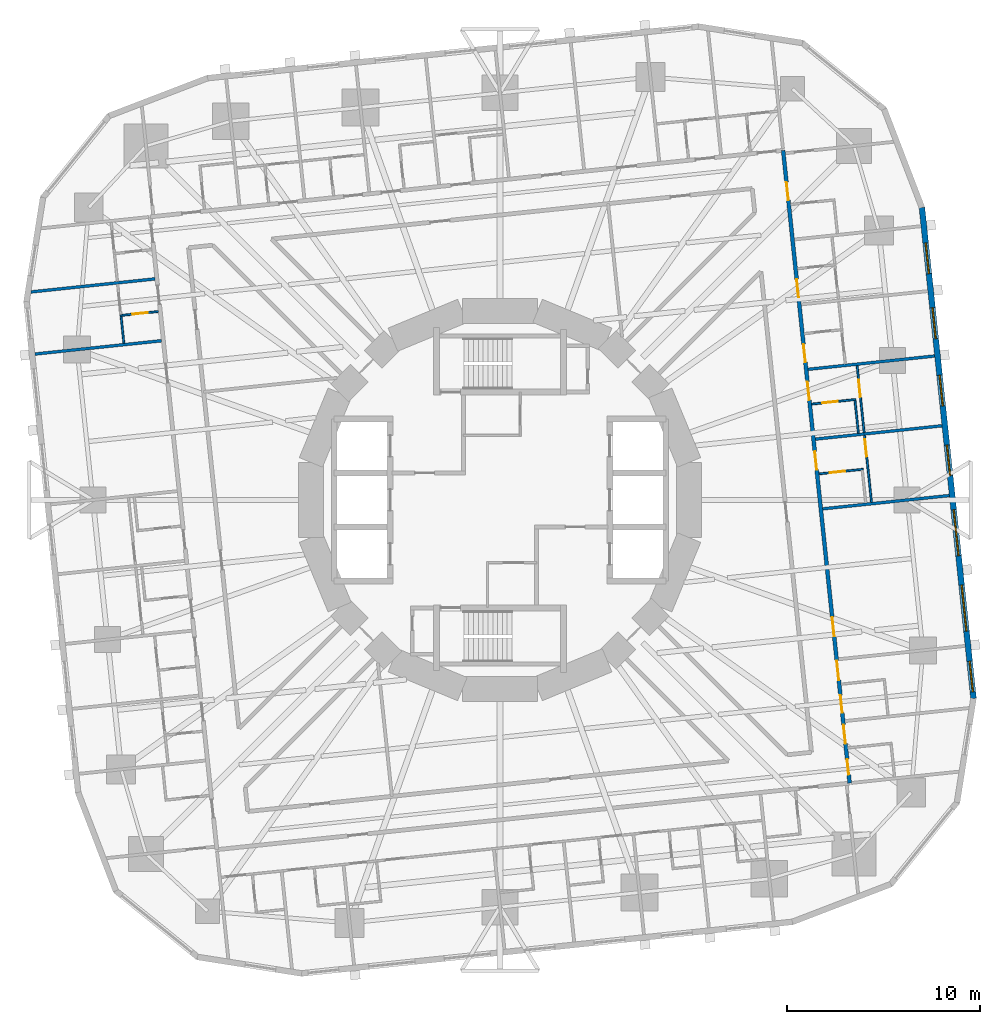
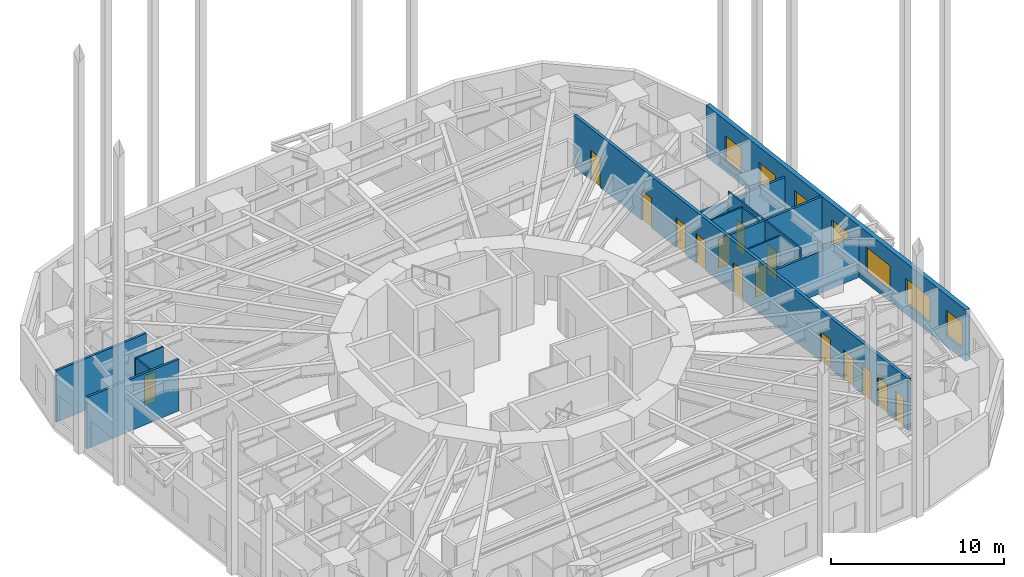
# One storey, part 9 of 13: 15 doors, 14 walls, 7 windows, 22 openings.
"""IFC4 building model written with IfcOpenShell, lengths in metres."""

from ifc_helpers import new_model, si_unit, direction, frame, frame_2d, origin, place, context, subcontext, project, spatial, rectangle, extrude, material, layer, layer_set, type_object, element, fill, save


model = new_model("IFC4")

# Units and contexts
model_context = context("Model", 3, precision=1e-05, world=origin(), true_north=direction((0.0, 1.0)))
body_context = subcontext(model_context, "Body", "Model", "MODEL_VIEW")
ifc_project = project(units=[si_unit("LENGTHUNIT", "METRE"), si_unit("AREAUNIT", "SQUARE_METRE"), si_unit("VOLUMEUNIT", "CUBIC_METRE"), si_unit("PLANEANGLEUNIT", "RADIAN"), si_unit("MASSUNIT", "GRAM", prefix="KILO")], contexts=[model_context])

# Site, building, storey
site_placement = place(None, origin())
site = spatial("IfcSite", under=ifc_project, at=site_placement, CompositionType="ELEMENT")
building_placement = place(site_placement, origin())
building = spatial("IfcBuilding", under=site, at=building_placement, Name="Nakasero Lantern House", CompositionType="ELEMENT")
storey_placement = place(building_placement, frame((0.0, 0.0, 60.5)))
storey = spatial("IfcBuildingStorey", under=building, at=storey_placement, Name="L14", CompositionType="ELEMENT", Elevation=60.5)

# Wall, openings, doors
ifc_material_1 = material(Name="Blockwork", Category="masonry")
ifc_layer_1 = layer(ifc_material_1, 0.199951171875)
ifc_layer_set_1 = layer_set([ifc_layer_1], Name="Corridor wall 200")
wall_type_1 = type_object("IfcWallType", Name="Corridor wall 200", PredefinedType="PARTITIONING", material=ifc_layer_set_1)
wall_1_placement = place(storey_placement, frame((18.13427734375, -14.684814453125, 0.0), z_axis=(0.0, 0.0, 1.0), x_axis=(-0.10452958258, 0.994521777723, 0.0)))
wall_1 = element("IfcWall", 1, at=wall_1_placement, inside=storey, type_object=wall_type_1, Name="Corridor wall L14 CW0", PredefinedType="PARTITIONING", context=body_context, shape_type="SweptSolid", body=[
    extrude(rectangle(XDim=32.999755859375, YDim=0.199951171875, at=frame_2d((16.5, 0.0))), origin(), (0.0, 0.0, 1.0), 3.64990234375),
])
opening_1_placement = place(wall_1_placement, frame((0.449951171875, 0.0, 0.0)))
opening_1 = element("IfcOpeningElement", 2, at=opening_1_placement, cuts=wall_1, Name="Opening D15", PredefinedType="OPENING", context=body_context, shape_type="SweptSolid", body=[
    extrude(rectangle(XDim=0.800048828125, YDim=2.10009765625, at=frame_2d((0.39990234375, 1.050048828125))), frame((0.0, 0.119873046875, 0.0), z_axis=(0.0, -1.0, 0.0), x_axis=(1.0, 0.0, 0.0)), (0.0, 0.0, 1.0), 0.239990234375),
])
opening_2_placement = place(wall_1_placement, frame((2.050048828125, 0.0, 0.0)))
opening_2 = element("IfcOpeningElement", 3, at=opening_2_placement, cuts=wall_1, Name="Opening D07", PredefinedType="OPENING", context=body_context, shape_type="SweptSolid", body=[
    extrude(rectangle(XDim=1.0, YDim=2.10009765625, at=frame_2d((0.5, 1.050048828125))), frame((0.0, 0.119873046875, 0.0), z_axis=(0.0, -1.0, 0.0), x_axis=(1.0, 0.0, 0.0)), (0.0, 0.0, 1.0), 0.239990234375),
])
opening_3_placement = place(wall_1_placement, frame((3.67529296875, 0.0, 0.0)))
opening_3 = element("IfcOpeningElement", 4, at=opening_3_placement, cuts=wall_1, Name="Opening D16", PredefinedType="OPENING", context=body_context, shape_type="SweptSolid", body=[
    extrude(rectangle(XDim=0.89990234375, YDim=2.10009765625, at=frame_2d((0.449951171875, 1.050048828125))), frame((0.0, 0.119873046875, 0.0), z_axis=(0.0, -1.0, 0.0), x_axis=(1.0, 0.0, 0.0)), (0.0, 0.0, 1.0), 0.239990234375),
])
opening_4_placement = place(wall_1_placement, frame((5.375244140625, 0.0, 0.0)))
opening_4 = element("IfcOpeningElement", 5, at=opening_4_placement, cuts=wall_1, Name="Opening D07", PredefinedType="OPENING", context=body_context, shape_type="SweptSolid", body=[
    extrude(rectangle(XDim=1.0, YDim=2.10009765625, at=frame_2d((0.5, 1.050048828125))), frame((0.0, 0.119873046875, 0.0), z_axis=(0.0, -1.0, 0.0), x_axis=(1.0, 0.0, 0.0)), (0.0, 0.0, 1.0), 0.239990234375),
])
opening_5_placement = place(wall_1_placement, frame((16.3427734375, 0.0, 0.0)))
opening_5 = element("IfcOpeningElement", 6, at=opening_5_placement, cuts=wall_1, Name="Opening D01", PredefinedType="OPENING", context=body_context, shape_type="SweptSolid", body=[
    extrude(rectangle(XDim=0.949951171875, YDim=2.10009765625, at=frame_2d((0.47509765625, 1.050048828125))), frame((0.0, 0.119873046875, 0.0), z_axis=(0.0, -1.0, 0.0), x_axis=(1.0, 0.0, 0.0)), (0.0, 0.0, 1.0), 0.239990234375),
])
opening_6_placement = place(wall_1_placement, frame((19.9814453125, 0.0, 0.0)))
opening_6 = element("IfcOpeningElement", 7, at=opening_6_placement, cuts=wall_1, Name="Opening D01", PredefinedType="OPENING", context=body_context, shape_type="SweptSolid", body=[
    extrude(rectangle(XDim=0.949951171875, YDim=2.10009765625, at=frame_2d((0.47509765625, 1.050048828125))), frame((0.0, 0.119873046875, 0.0), z_axis=(0.0, -1.0, 0.0), x_axis=(1.0, 0.0, 0.0)), (0.0, 0.0, 1.0), 0.239990234375),
])
opening_7_placement = place(wall_1_placement, frame((21.945068359375, 0.0, 0.0)))
opening_7 = element("IfcOpeningElement", 8, at=opening_7_placement, cuts=wall_1, Name="Opening D01", PredefinedType="OPENING", context=body_context, shape_type="SweptSolid", body=[
    extrude(rectangle(XDim=0.949951171875, YDim=2.10009765625, at=frame_2d((0.47509765625, 1.050048828125))), frame((0.0, 0.119873046875, 0.0), z_axis=(0.0, -1.0, 0.0), x_axis=(1.0, 0.0, 0.0)), (0.0, 0.0, 1.0), 0.239990234375),
])
opening_8_placement = place(wall_1_placement, frame((25.33056640625, 0.0, 0.0)))
opening_8 = element("IfcOpeningElement", 9, at=opening_8_placement, cuts=wall_1, Name="Opening D01", PredefinedType="OPENING", context=body_context, shape_type="SweptSolid", body=[
    extrude(rectangle(XDim=0.949951171875, YDim=2.10009765625, at=frame_2d((0.47509765625, 1.050048828125))), frame((0.0, 0.119873046875, 0.0), z_axis=(0.0, -1.0, 0.0), x_axis=(1.0, 0.0, 0.0)), (0.0, 0.0, 1.0), 0.239990234375),
])
opening_9_placement = place(wall_1_placement, frame((30.39111328125, 0.0, 0.0)))
opening_9 = element("IfcOpeningElement", 10, at=opening_9_placement, cuts=wall_1, Name="Opening D01", PredefinedType="OPENING", context=body_context, shape_type="SweptSolid", body=[
    extrude(rectangle(XDim=0.949951171875, YDim=2.10009765625, at=frame_2d((0.47509765625, 1.050048828125))), frame((0.0, 0.119873046875, 0.0), z_axis=(0.0, -1.0, 0.0), x_axis=(1.0, 0.0, 0.0)), (0.0, 0.0, 1.0), 0.239990234375),
])
opening_10_placement = place(wall_1_placement, frame((7.650634765625, 0.0, 0.0)))
opening_10 = element("IfcOpeningElement", 11, at=opening_10_placement, cuts=wall_1, Name="Opening D03", PredefinedType="OPENING", context=body_context, shape_type="SweptSolid", body=[
    extrude(rectangle(XDim=1.0, YDim=2.10009765625, at=frame_2d((0.5, 1.050048828125))), frame((0.0, 0.119873046875, 0.0), z_axis=(0.0, -1.0, 0.0), x_axis=(1.0, 0.0, 0.0)), (0.0, 0.0, 1.0), 0.239990234375),
])
ifc_material_2 = material(Name="Timber C24", Category="wood")
door_type_1 = type_object("IfcDoorType", Name="Accessible WC door 900", OperationType="SINGLE_SWING_RIGHT", PredefinedType="DOOR", material=ifc_material_2)
door_1_placement = place(opening_3_placement, origin())
door_1 = element("IfcDoor", 12, at=door_1_placement, inside=storey, type_object=door_type_1, Name="Door L14 DS0-01", OperationType="SINGLE_SWING_LEFT", OverallHeight=2.10009765625, OverallWidth=0.89990234375, PredefinedType="DOOR", context=body_context, shape_type="SweptSolid", body=[
    extrude(rectangle(XDim=0.89990234375, YDim=2.10009765625, at=frame_2d((0.449951171875, 1.050048828125))), frame((0.0, 0.02490234375, 0.0), z_axis=(0.0, -1.0, 0.0), x_axis=(1.0, 0.0, 0.0)), (0.0, 0.0, 1.0), 0.050048828125),
])
fill(opening_3, door_1)
ifc_material_3 = material(Name="Timber C24", Category="wood")
door_type_2 = type_object("IfcDoorType", Name="Bedroom door FD30S 950", OperationType="SINGLE_SWING_LEFT", PredefinedType="DOOR", material=ifc_material_3)
door_2_placement = place(opening_5_placement, origin())
door_2 = element("IfcDoor", 13, at=door_2_placement, inside=storey, type_object=door_type_2, Name="Door L14 D0-04", OperationType="SINGLE_SWING_RIGHT", OverallHeight=2.10009765625, OverallWidth=0.949951171875, PredefinedType="DOOR", context=body_context, shape_type="SweptSolid", body=[
    extrude(rectangle(XDim=0.949951171875, YDim=2.10009765625, at=frame_2d((0.47509765625, 1.050048828125))), frame((0.0, 0.02490234375, 0.0), z_axis=(0.0, -1.0, 0.0), x_axis=(1.0, 0.0, 0.0)), (0.0, 0.0, 1.0), 0.050048828125),
])
fill(opening_5, door_2)
door_3_placement = place(opening_6_placement, origin())
door_3 = element("IfcDoor", 14, at=door_3_placement, inside=storey, type_object=door_type_2, Name="Door L14 D0-05", OperationType="SINGLE_SWING_RIGHT", OverallHeight=2.10009765625, OverallWidth=0.949951171875, PredefinedType="DOOR", context=body_context, shape_type="SweptSolid", body=[
    extrude(rectangle(XDim=0.949951171875, YDim=2.10009765625, at=frame_2d((0.47509765625, 1.050048828125))), frame((0.0, 0.02490234375, 0.0), z_axis=(0.0, -1.0, 0.0), x_axis=(1.0, 0.0, 0.0)), (0.0, 0.0, 1.0), 0.050048828125),
])
fill(opening_6, door_3)
door_4_placement = place(opening_7_placement, origin())
door_4 = element("IfcDoor", 15, at=door_4_placement, inside=storey, type_object=door_type_2, Name="Door L14 D0-06", OperationType="SINGLE_SWING_RIGHT", OverallHeight=2.10009765625, OverallWidth=0.949951171875, PredefinedType="DOOR", context=body_context, shape_type="SweptSolid", body=[
    extrude(rectangle(XDim=0.949951171875, YDim=2.10009765625, at=frame_2d((0.47509765625, 1.050048828125))), frame((0.0, 0.02490234375, 0.0), z_axis=(0.0, -1.0, 0.0), x_axis=(1.0, 0.0, 0.0)), (0.0, 0.0, 1.0), 0.050048828125),
])
fill(opening_7, door_4)
door_5_placement = place(opening_8_placement, origin())
door_5 = element("IfcDoor", 16, at=door_5_placement, inside=storey, type_object=door_type_2, Name="Door L14 D0-07", OperationType="SINGLE_SWING_RIGHT", OverallHeight=2.10009765625, OverallWidth=0.949951171875, PredefinedType="DOOR", context=body_context, shape_type="SweptSolid", body=[
    extrude(rectangle(XDim=0.949951171875, YDim=2.10009765625, at=frame_2d((0.47509765625, 1.050048828125))), frame((0.0, 0.02490234375, 0.0), z_axis=(0.0, -1.0, 0.0), x_axis=(1.0, 0.0, 0.0)), (0.0, 0.0, 1.0), 0.050048828125),
])
fill(opening_8, door_5)
door_6_placement = place(opening_9_placement, origin())
door_6 = element("IfcDoor", 17, at=door_6_placement, inside=storey, type_object=door_type_2, Name="Door L14 D0-08", OperationType="SINGLE_SWING_RIGHT", OverallHeight=2.10009765625, OverallWidth=0.949951171875, PredefinedType="DOOR", context=body_context, shape_type="SweptSolid", body=[
    extrude(rectangle(XDim=0.949951171875, YDim=2.10009765625, at=frame_2d((0.47509765625, 1.050048828125))), frame((0.0, 0.02490234375, 0.0), z_axis=(0.0, -1.0, 0.0), x_axis=(1.0, 0.0, 0.0)), (0.0, 0.0, 1.0), 0.050048828125),
])
fill(opening_9, door_6)
ifc_material_4 = material(Name="Timber C24", Category="wood")
door_type_3 = type_object("IfcDoorType", Name="Cleaner's store door FD30S 800", OperationType="SINGLE_SWING_LEFT", PredefinedType="DOOR", material=ifc_material_4)
door_7_placement = place(opening_1_placement, origin())
door_7 = element("IfcDoor", 18, at=door_7_placement, inside=storey, type_object=door_type_3, Name="Door L14 DS0-00", OperationType="SINGLE_SWING_LEFT", OverallHeight=2.10009765625, OverallWidth=0.800048828125, PredefinedType="DOOR", context=body_context, shape_type="SweptSolid", body=[
    extrude(rectangle(XDim=0.800048828125, YDim=2.10009765625, at=frame_2d((0.39990234375, 1.050048828125))), frame((0.0, 0.02490234375, 0.0), z_axis=(0.0, -1.0, 0.0), x_axis=(1.0, 0.0, 0.0)), (0.0, 0.0, 1.0), 0.050048828125),
])
fill(opening_1, door_7)
ifc_material_5 = material(Name="Timber C24", Category="wood")
door_type_4 = type_object("IfcDoorType", Name="Lounge door FD30S 1000", OperationType="SINGLE_SWING_LEFT", PredefinedType="DOOR", material=ifc_material_5)
door_8_placement = place(opening_10_placement, origin())
door_8 = element("IfcDoor", 19, at=door_8_placement, inside=storey, type_object=door_type_4, Name="Door L14 DK0", OperationType="SINGLE_SWING_LEFT", OverallHeight=2.10009765625, OverallWidth=1.0, PredefinedType="DOOR", context=body_context, shape_type="SweptSolid", body=[
    extrude(rectangle(XDim=1.0, YDim=2.10009765625, at=frame_2d((0.5, 1.050048828125))), frame((0.0, 0.02490234375, 0.0), z_axis=(0.0, -1.0, 0.0), x_axis=(1.0, 0.0, 0.0)), (0.0, 0.0, 1.0), 0.050048828125),
])
fill(opening_10, door_8)
ifc_material_6 = material(Name="Timber C24", Category="wood")
door_type_5 = type_object("IfcDoorType", Name="Room door FD30S 1000", OperationType="SINGLE_SWING_LEFT", PredefinedType="DOOR", material=ifc_material_6)
door_9_placement = place(opening_2_placement, origin())
door_9 = element("IfcDoor", 20, at=door_9_placement, inside=storey, type_object=door_type_5, Name="Door L14 D0-00", OperationType="SINGLE_SWING_LEFT", OverallHeight=2.10009765625, OverallWidth=1.0, PredefinedType="DOOR", context=body_context, shape_type="SweptSolid", body=[
    extrude(rectangle(XDim=1.0, YDim=2.10009765625, at=frame_2d((0.5, 1.050048828125))), frame((0.0, 0.02490234375, 0.0), z_axis=(0.0, -1.0, 0.0), x_axis=(1.0, 0.0, 0.0)), (0.0, 0.0, 1.0), 0.050048828125),
])
fill(opening_2, door_9)
door_10_placement = place(opening_4_placement, origin())
door_10 = element("IfcDoor", 21, at=door_10_placement, inside=storey, type_object=door_type_5, Name="Door L14 D0-01", OperationType="SINGLE_SWING_LEFT", OverallHeight=2.10009765625, OverallWidth=1.0, PredefinedType="DOOR", context=body_context, shape_type="SweptSolid", body=[
    extrude(rectangle(XDim=1.0, YDim=2.10009765625, at=frame_2d((0.5, 1.050048828125))), frame((0.0, 0.02490234375, 0.0), z_axis=(0.0, -1.0, 0.0), x_axis=(1.0, 0.0, 0.0)), (0.0, 0.0, 1.0), 0.050048828125),
])
fill(opening_4, door_10)

# Wall, opening, door
ifc_material_7 = material(Name="Blockwork", Category="masonry")
ifc_layer_2 = layer(ifc_material_7, 0.10009765625)
ifc_layer_set_2 = layer_set([ifc_layer_2], Name="En-suite wall 100")
wall_type_2 = type_object("IfcWallType", Name="En-suite wall 100", PredefinedType="PARTITIONING", material=ifc_layer_set_2)
wall_2_placement = place(storey_placement, frame((16.549072265625, 1.35498046875, 0.0), z_axis=(0.0, 0.0, 1.0), x_axis=(0.994518822602, 0.104557694553, 0.0)))
wall_2 = element("IfcWall", 22, at=wall_2_placement, inside=storey, type_object=wall_type_2, Name="En-suite wall L14 ES0-04", PredefinedType="PARTITIONING", context=body_context, shape_type="SweptSolid", body=[
    extrude(rectangle(XDim=2.300048828125, YDim=0.10009765625, at=frame_2d((1.14990234375, 0.0))), origin(), (0.0, 0.0, 1.0), 3.64990234375),
])
opening_11_placement = place(wall_2_placement, frame((0.550048828125, 0.0, 0.0)))
opening_11 = element("IfcOpeningElement", 23, at=opening_11_placement, cuts=wall_2, Name="Opening D02", PredefinedType="OPENING", context=body_context, shape_type="SweptSolid", body=[
    extrude(rectangle(XDim=0.800048828125, YDim=2.10009765625, at=frame_2d((0.39990234375, 1.050048828125))), frame((0.0, 0.070068359375, 0.0), z_axis=(0.0, -1.0, 0.0), x_axis=(1.0, 0.0, 0.0)), (0.0, 0.0, 1.0), 0.14013671875),
])
ifc_material_8 = material(Name="Timber C24", Category="wood")
door_type_6 = type_object("IfcDoorType", Name="En-suite door 800", OperationType="SINGLE_SWING_RIGHT", PredefinedType="DOOR", material=ifc_material_8)
door_11_placement = place(opening_11_placement, origin())
door_11 = element("IfcDoor", 24, at=door_11_placement, inside=storey, type_object=door_type_6, Name="Door L14 DE0-04", OperationType="SINGLE_SWING_LEFT", OverallHeight=2.10009765625, OverallWidth=0.800048828125, PredefinedType="DOOR", context=body_context, shape_type="SweptSolid", body=[
    extrude(rectangle(XDim=0.800048828125, YDim=2.10009765625, at=frame_2d((0.39990234375, 1.050048828125))), frame((0.0, 0.02490234375, 0.0), z_axis=(0.0, -1.0, 0.0), x_axis=(1.0, 0.0, 0.0)), (0.0, 0.0, 1.0), 0.050048828125),
])
fill(opening_11, door_11)

wall_3_placement = place(storey_placement, frame((16.168701171875, 4.9736328125, 0.0), z_axis=(0.0, 0.0, 1.0), x_axis=(0.994518822602, 0.104557694553, 0.0)))
wall_3 = element("IfcWall", 25, at=wall_3_placement, inside=storey, type_object=wall_type_2, Name="En-suite wall L14 ES0-05", PredefinedType="PARTITIONING", context=body_context, shape_type="SweptSolid", body=[
    extrude(rectangle(XDim=2.300048828125, YDim=0.10009765625, at=frame_2d((1.14990234375, 0.0))), origin(), (0.0, 0.0, 1.0), 3.64990234375),
])
opening_12_placement = place(wall_3_placement, frame((0.550048828125, 0.0, 0.0)))
opening_12 = element("IfcOpeningElement", 26, at=opening_12_placement, cuts=wall_3, Name="Opening D02", PredefinedType="OPENING", context=body_context, shape_type="SweptSolid", body=[
    extrude(rectangle(XDim=0.800048828125, YDim=2.10009765625, at=frame_2d((0.39990234375, 1.050048828125))), frame((0.0, 0.070068359375, 0.0), z_axis=(0.0, -1.0, 0.0), x_axis=(1.0, 0.0, 0.0)), (0.0, 0.0, 1.0), 0.14013671875),
])
door_12_placement = place(opening_12_placement, origin())
door_12 = element("IfcDoor", 27, at=door_12_placement, inside=storey, type_object=door_type_6, Name="Door L14 DE0-05", OperationType="SINGLE_SWING_LEFT", OverallHeight=2.10009765625, OverallWidth=0.800048828125, PredefinedType="DOOR", context=body_context, shape_type="SweptSolid", body=[
    extrude(rectangle(XDim=0.800048828125, YDim=2.10009765625, at=frame_2d((0.39990234375, 1.050048828125))), frame((0.0, 0.02490234375, 0.0), z_axis=(0.0, -1.0, 0.0), x_axis=(1.0, 0.0, 0.0)), (0.0, 0.0, 1.0), 0.050048828125),
])
fill(opening_12, door_12)

# Wall
wall_4_placement = place(storey_placement, frame((18.58935546875, 3.468505859375, 0.0), z_axis=(0.0, 0.0, 1.0), x_axis=(-0.104550220202, 0.994519608382, 0.0)))
element("IfcWall", 28, at=wall_4_placement, inside=storey, type_object=wall_type_2, Name="En-suite wall L14 EE0-05", PredefinedType="PARTITIONING", context=body_context, shape_type="SweptSolid", body=[
    extrude(rectangle(XDim=1.699951171875, YDim=0.10009765625, at=frame_2d((0.85009765625, 0.0))), origin(), (0.0, 0.0, 1.0), 3.64990234375),
])

# Wall, opening, door
wall_5_placement = place(storey_placement, frame((-17.718994140625, 9.77587890625, 0.0), z_axis=(0.0, 0.0, 1.0), x_axis=(-0.994512808172, -0.104614886044, 0.0)))
wall_5 = element("IfcWall", 29, at=wall_5_placement, inside=storey, type_object=wall_type_2, Name="En-suite wall L14 ES2-01", PredefinedType="PARTITIONING", context=body_context, shape_type="SweptSolid", body=[
    extrude(rectangle(XDim=2.0, YDim=0.10009765625, at=frame_2d((1.0, 0.0))), origin(), (0.0, 0.0, 1.0), 3.64990234375),
])
opening_13_placement = place(wall_5_placement, frame((0.550048828125, 0.0, 0.0)))
opening_13 = element("IfcOpeningElement", 30, at=opening_13_placement, cuts=wall_5, Name="Opening D02", PredefinedType="OPENING", context=body_context, shape_type="SweptSolid", body=[
    extrude(rectangle(XDim=0.800048828125, YDim=2.10009765625, at=frame_2d((0.39990234375, 1.050048828125))), frame((0.0, 0.070068359375, 0.0), z_axis=(0.0, -1.0, 0.0), x_axis=(1.0, 0.0, 0.0)), (0.0, 0.0, 1.0), 0.14013671875),
])
door_13_placement = place(opening_13_placement, origin())
door_13 = element("IfcDoor", 31, at=door_13_placement, inside=storey, type_object=door_type_6, Name="Door L14 DE2-01", OperationType="SINGLE_SWING_LEFT", OverallHeight=2.10009765625, OverallWidth=0.800048828125, PredefinedType="DOOR", context=body_context, shape_type="SweptSolid", body=[
    extrude(rectangle(XDim=0.800048828125, YDim=2.10009765625, at=frame_2d((0.39990234375, 1.050048828125))), frame((0.0, 0.02490234375, 0.0), z_axis=(0.0, -1.0, 0.0), x_axis=(1.0, 0.0, 0.0)), (0.0, 0.0, 1.0), 0.050048828125),
])
fill(opening_13, door_13)

# Wall
wall_6_placement = place(storey_placement, frame((-19.653076171875, 9.522216796875, 0.0), z_axis=(0.0, 0.0, 1.0), x_axis=(0.104630319263, -0.994511184598, 0.0)))
element("IfcWall", 32, at=wall_6_placement, inside=storey, type_object=wall_type_2, Name="En-suite wall L14 EE2-01", PredefinedType="PARTITIONING", context=body_context, shape_type="SweptSolid", body=[
    extrude(rectangle(XDim=1.39990234375, YDim=0.10009765625, at=frame_2d((0.699951171875, 0.0))), origin(), (0.0, 0.0, 1.0), 3.64990234375),
])

# Wall, opening, door
wall_7_placement = place(storey_placement, frame((19.26806640625, -0.118896484375, 0.0), z_axis=(0.0, 0.0, 1.0), x_axis=(-0.104553638592, 0.994519249013, 0.0)))
wall_7 = element("IfcWall", 33, at=wall_7_placement, inside=storey, type_object=wall_type_2, Name="En-suite wall L14 EL0-04", PredefinedType="PARTITIONING", context=body_context, shape_type="SweptSolid", body=[
    extrude(rectangle(XDim=3.488525390625, YDim=0.10009765625, at=frame_2d((1.744140625, 0.0))), origin(), (0.0, 0.0, 1.0), 3.64990234375),
])
opening_14_placement = place(wall_7_placement, frame((2.388671875, 0.0, 0.0)))
opening_14 = element("IfcOpeningElement", 34, at=opening_14_placement, cuts=wall_7, Name="Opening D17", PredefinedType="OPENING", context=body_context, shape_type="SweptSolid", body=[
    extrude(rectangle(XDim=0.89990234375, YDim=2.10009765625, at=frame_2d((0.449951171875, 1.050048828125))), frame((0.0, 0.070068359375, 0.0), z_axis=(0.0, -1.0, 0.0), x_axis=(1.0, 0.0, 0.0)), (0.0, 0.0, 1.0), 0.14013671875),
])
ifc_material_9 = material(Name="Timber C24", Category="wood")
door_type_7 = type_object("IfcDoorType", Name="Bedroom door FD30S 900", OperationType="SINGLE_SWING_LEFT", PredefinedType="DOOR", material=ifc_material_9)
door_14_placement = place(opening_14_placement, origin())
door_14 = element("IfcDoor", 35, at=door_14_placement, inside=storey, type_object=door_type_7, Name="Door L14 DL0-04", OperationType="SINGLE_SWING_RIGHT", OverallHeight=2.10009765625, OverallWidth=0.89990234375, PredefinedType="DOOR", context=body_context, shape_type="SweptSolid", body=[
    extrude(rectangle(XDim=0.89990234375, YDim=2.10009765625, at=frame_2d((0.449951171875, 1.050048828125))), frame((0.0, 0.02490234375, 0.0), z_axis=(0.0, -1.0, 0.0), x_axis=(1.0, 0.0, 0.0)), (0.0, 0.0, 1.0), 0.050048828125),
])
fill(opening_14, door_14)

wall_8_placement = place(storey_placement, frame((18.8876953125, 3.5, 0.0), z_axis=(0.0, 0.0, 1.0), x_axis=(-0.104553638592, 0.994519249013, 0.0)))
wall_8 = element("IfcWall", 36, at=wall_8_placement, inside=storey, type_object=wall_type_2, Name="En-suite wall L14 EL0-05", PredefinedType="PARTITIONING", context=body_context, shape_type="SweptSolid", body=[
    extrude(rectangle(XDim=3.488525390625, YDim=0.10009765625, at=frame_2d((1.744140625, 0.0))), origin(), (0.0, 0.0, 1.0), 3.64990234375),
])
opening_15_placement = place(wall_8_placement, frame((1.85009765625, 0.0, 0.0)))
opening_15 = element("IfcOpeningElement", 37, at=opening_15_placement, cuts=wall_8, Name="Opening D17", PredefinedType="OPENING", context=body_context, shape_type="SweptSolid", body=[
    extrude(rectangle(XDim=0.89990234375, YDim=2.10009765625, at=frame_2d((0.449951171875, 1.050048828125))), frame((0.0, 0.070068359375, 0.0), z_axis=(0.0, -1.0, 0.0), x_axis=(1.0, 0.0, 0.0)), (0.0, 0.0, 1.0), 0.14013671875),
])
door_15_placement = place(opening_15_placement, origin())
door_15 = element("IfcDoor", 38, at=door_15_placement, inside=storey, type_object=door_type_7, Name="Door L14 DL0-05", OperationType="SINGLE_SWING_RIGHT", OverallHeight=2.10009765625, OverallWidth=0.89990234375, PredefinedType="DOOR", context=body_context, shape_type="SweptSolid", body=[
    extrude(rectangle(XDim=0.89990234375, YDim=2.10009765625, at=frame_2d((0.449951171875, 1.050048828125))), frame((0.0, 0.02490234375, 0.0), z_axis=(0.0, -1.0, 0.0), x_axis=(1.0, 0.0, 0.0)), (0.0, 0.0, 1.0), 0.050048828125),
])
fill(opening_15, door_15)

# Wall, openings, windows
ifc_material_10 = material(Name="Aluminium rainscreen on blockwork", Category="masonry")
ifc_layer_3 = layer(ifc_material_10, 0.300048828125)
ifc_layer_set_3 = layer_set([ifc_layer_3], Name="Facade wall 300")
wall_type_3 = type_object("IfcWallType", Name="Facade wall 300", PredefinedType="SOLIDWALL", material=ifc_layer_set_3)
wall_9_placement = place(storey_placement, frame((24.56005859375, -10.2890625, 0.0), z_axis=(0.0, 0.0, 1.0), x_axis=(-0.104532378096, 0.994521483895, 0.0)))
wall_9 = element("IfcWall", 39, at=wall_9_placement, inside=storey, type_object=wall_type_3, Name="Facade wall L14 FW0S", PredefinedType="SOLIDWALL", context=body_context, shape_type="SweptSolid", body=[
    extrude(rectangle(XDim=25.599853515625, YDim=0.300048828125, at=frame_2d((12.7998046875, 0.0))), origin(), (0.0, 0.0, 1.0), 3.64990234375),
])
opening_16_placement = place(wall_9_placement, frame((0.337890625, 0.0, 0.75)))
opening_16 = element("IfcOpeningElement", 40, at=opening_16_placement, cuts=wall_9, Name="Opening W01", PredefinedType="OPENING", context=body_context, shape_type="SweptSolid", body=[
    extrude(rectangle(XDim=1.60009765625, YDim=1.800048828125, at=frame_2d((0.800048828125, 0.89990234375))), frame((0.0, 0.169921875, 0.0), z_axis=(0.0, -1.0, 0.0), x_axis=(1.0, 0.0, 0.0)), (0.0, 0.0, 1.0), 0.340087890625),
])
opening_17_placement = place(wall_9_placement, frame((11.612060546875, 0.0, 0.75)))
opening_17 = element("IfcOpeningElement", 41, at=opening_17_placement, cuts=wall_9, Name="Opening W01", PredefinedType="OPENING", context=body_context, shape_type="SweptSolid", body=[
    extrude(rectangle(XDim=1.60009765625, YDim=1.800048828125, at=frame_2d((0.800048828125, 0.89990234375))), frame((0.0, 0.169921875, 0.0), z_axis=(0.0, -1.0, 0.0), x_axis=(1.0, 0.0, 0.0)), (0.0, 0.0, 1.0), 0.340087890625),
])
opening_18_placement = place(wall_9_placement, frame((15.250732421875, 0.0, 0.75)))
opening_18 = element("IfcOpeningElement", 42, at=opening_18_placement, cuts=wall_9, Name="Opening W01", PredefinedType="OPENING", context=body_context, shape_type="SweptSolid", body=[
    extrude(rectangle(XDim=1.60009765625, YDim=1.800048828125, at=frame_2d((0.800048828125, 0.89990234375))), frame((0.0, 0.169921875, 0.0), z_axis=(0.0, -1.0, 0.0), x_axis=(1.0, 0.0, 0.0)), (0.0, 0.0, 1.0), 0.340087890625),
])
opening_19_placement = place(wall_9_placement, frame((18.7626953125, 0.0, 0.75)))
opening_19 = element("IfcOpeningElement", 43, at=opening_19_placement, cuts=wall_9, Name="Opening W01", PredefinedType="OPENING", context=body_context, shape_type="SweptSolid", body=[
    extrude(rectangle(XDim=1.60009765625, YDim=1.800048828125, at=frame_2d((0.800048828125, 0.89990234375))), frame((0.0, 0.169921875, 0.0), z_axis=(0.0, -1.0, 0.0), x_axis=(1.0, 0.0, 0.0)), (0.0, 0.0, 1.0), 0.340087890625),
])
opening_20_placement = place(wall_9_placement, frame((22.1484375, 0.0, 0.75)))
opening_20 = element("IfcOpeningElement", 44, at=opening_20_placement, cuts=wall_9, Name="Opening W01", PredefinedType="OPENING", context=body_context, shape_type="SweptSolid", body=[
    extrude(rectangle(XDim=1.60009765625, YDim=1.800048828125, at=frame_2d((0.800048828125, 0.89990234375))), frame((0.0, 0.169921875, 0.0), z_axis=(0.0, -1.0, 0.0), x_axis=(1.0, 0.0, 0.0)), (0.0, 0.0, 1.0), 0.340087890625),
])
opening_21_placement = place(wall_9_placement, frame((3.51123046875, 0.0, 0.75)))
opening_21 = element("IfcOpeningElement", 45, at=opening_21_placement, cuts=wall_9, Name="Opening W03", PredefinedType="OPENING", context=body_context, shape_type="SweptSolid", body=[
    extrude(rectangle(XDim=2.39990234375, YDim=1.800048828125, at=frame_2d((1.199951171875, 0.89990234375))), frame((0.0, 0.169921875, 0.0), z_axis=(0.0, -1.0, 0.0), x_axis=(1.0, 0.0, 0.0)), (0.0, 0.0, 1.0), 0.340087890625),
])
opening_22_placement = place(wall_9_placement, frame((7.432373046875, 0.0, 0.75)))
opening_22 = element("IfcOpeningElement", 46, at=opening_22_placement, cuts=wall_9, Name="Opening W03", PredefinedType="OPENING", context=body_context, shape_type="SweptSolid", body=[
    extrude(rectangle(XDim=2.39990234375, YDim=1.800048828125, at=frame_2d((1.199951171875, 0.89990234375))), frame((0.0, 0.169921875, 0.0), z_axis=(0.0, -1.0, 0.0), x_axis=(1.0, 0.0, 0.0)), (0.0, 0.0, 1.0), 0.340087890625),
])
ifc_material_11 = material(Name="Aluminium 6063-T6 and glass", Category="aluminium")
window_type_1 = type_object("IfcWindowType", Name="Bedroom window 1600x1800", PartitioningType="SINGLE_PANEL", PredefinedType="WINDOW", material=ifc_material_11)
window_1_placement = place(opening_16_placement, origin())
window_1 = element("IfcWindow", 47, at=window_1_placement, inside=storey, type_object=window_type_1, Name="Window L14 WN0-01", OverallHeight=1.800048828125, OverallWidth=1.60009765625, PartitioningType="SINGLE_PANEL", PredefinedType="WINDOW", context=body_context, shape_type="SweptSolid", body=[
    extrude(rectangle(XDim=1.60009765625, YDim=1.800048828125, at=frame_2d((0.800048828125, 0.89990234375))), frame((0.0, 0.030029296875, 0.0), z_axis=(0.0, -1.0, 0.0), x_axis=(1.0, 0.0, 0.0)), (0.0, 0.0, 1.0), 0.06005859375),
])
fill(opening_16, window_1)
window_2_placement = place(opening_17_placement, origin())
window_2 = element("IfcWindow", 48, at=window_2_placement, inside=storey, type_object=window_type_1, Name="Window L14 WN0-04", OverallHeight=1.800048828125, OverallWidth=1.60009765625, PartitioningType="SINGLE_PANEL", PredefinedType="WINDOW", context=body_context, shape_type="SweptSolid", body=[
    extrude(rectangle(XDim=1.60009765625, YDim=1.800048828125, at=frame_2d((0.800048828125, 0.89990234375))), frame((0.0, 0.030029296875, 0.0), z_axis=(0.0, -1.0, 0.0), x_axis=(1.0, 0.0, 0.0)), (0.0, 0.0, 1.0), 0.06005859375),
])
fill(opening_17, window_2)
window_3_placement = place(opening_18_placement, origin())
window_3 = element("IfcWindow", 49, at=window_3_placement, inside=storey, type_object=window_type_1, Name="Window L14 WN0-05", OverallHeight=1.800048828125, OverallWidth=1.60009765625, PartitioningType="SINGLE_PANEL", PredefinedType="WINDOW", context=body_context, shape_type="SweptSolid", body=[
    extrude(rectangle(XDim=1.60009765625, YDim=1.800048828125, at=frame_2d((0.800048828125, 0.89990234375))), frame((0.0, 0.030029296875, 0.0), z_axis=(0.0, -1.0, 0.0), x_axis=(1.0, 0.0, 0.0)), (0.0, 0.0, 1.0), 0.06005859375),
])
fill(opening_18, window_3)
window_4_placement = place(opening_19_placement, origin())
window_4 = element("IfcWindow", 50, at=window_4_placement, inside=storey, type_object=window_type_1, Name="Window L14 WN0-06", OverallHeight=1.800048828125, OverallWidth=1.60009765625, PartitioningType="SINGLE_PANEL", PredefinedType="WINDOW", context=body_context, shape_type="SweptSolid", body=[
    extrude(rectangle(XDim=1.60009765625, YDim=1.800048828125, at=frame_2d((0.800048828125, 0.89990234375))), frame((0.0, 0.030029296875, 0.0), z_axis=(0.0, -1.0, 0.0), x_axis=(1.0, 0.0, 0.0)), (0.0, 0.0, 1.0), 0.06005859375),
])
fill(opening_19, window_4)
window_5_placement = place(opening_20_placement, origin())
window_5 = element("IfcWindow", 51, at=window_5_placement, inside=storey, type_object=window_type_1, Name="Window L14 WN0-07", OverallHeight=1.800048828125, OverallWidth=1.60009765625, PartitioningType="SINGLE_PANEL", PredefinedType="WINDOW", context=body_context, shape_type="SweptSolid", body=[
    extrude(rectangle(XDim=1.60009765625, YDim=1.800048828125, at=frame_2d((0.800048828125, 0.89990234375))), frame((0.0, 0.030029296875, 0.0), z_axis=(0.0, -1.0, 0.0), x_axis=(1.0, 0.0, 0.0)), (0.0, 0.0, 1.0), 0.06005859375),
])
fill(opening_20, window_5)
ifc_material_12 = material(Name="Aluminium 6063-T6 and glass", Category="aluminium")
window_type_2 = type_object("IfcWindowType", Name="Lounge window 2400x1800", PartitioningType="SINGLE_PANEL", PredefinedType="WINDOW", material=ifc_material_12)
window_6_placement = place(opening_21_placement, origin())
window_6 = element("IfcWindow", 52, at=window_6_placement, inside=storey, type_object=window_type_2, Name="Window L14 WK0", OverallHeight=1.800048828125, OverallWidth=2.39990234375, PartitioningType="SINGLE_PANEL", PredefinedType="WINDOW", context=body_context, shape_type="SweptSolid", body=[
    extrude(rectangle(XDim=2.39990234375, YDim=1.800048828125, at=frame_2d((1.199951171875, 0.89990234375))), frame((0.0, 0.030029296875, 0.0), z_axis=(0.0, -1.0, 0.0), x_axis=(1.0, 0.0, 0.0)), (0.0, 0.0, 1.0), 0.06005859375),
])
fill(opening_21, window_6)
window_7_placement = place(opening_22_placement, origin())
window_7 = element("IfcWindow", 53, at=window_7_placement, inside=storey, type_object=window_type_2, Name="Window L14 WL0", OverallHeight=1.800048828125, OverallWidth=2.39990234375, PartitioningType="SINGLE_PANEL", PredefinedType="WINDOW", context=body_context, shape_type="SweptSolid", body=[
    extrude(rectangle(XDim=2.39990234375, YDim=1.800048828125, at=frame_2d((1.199951171875, 0.89990234375))), frame((0.0, 0.030029296875, 0.0), z_axis=(0.0, -1.0, 0.0), x_axis=(1.0, 0.0, 0.0)), (0.0, 0.0, 1.0), 0.06005859375),
])
fill(opening_22, window_7)

# Walls
ifc_material_13 = material(Name="Blockwork", Category="masonry")
ifc_layer_4 = layer(ifc_material_13, 0.14990234375)
ifc_layer_set_4 = layer_set([ifc_layer_4], Name="Party wall 150")
wall_type_4 = type_object("IfcWallType", Name="Party wall 150", PredefinedType="PARTITIONING", material=ifc_layer_set_4)
wall_10_placement = place(storey_placement, frame((16.73974609375, -0.4599609375, 0.0), z_axis=(0.0, 0.0, 1.0), x_axis=(0.994521251134, 0.104534592565, 0.0)))
element("IfcWall", 54, at=wall_10_placement, inside=storey, type_object=wall_type_4, Name="Party wall L14 PW0-04", PredefinedType="PARTITIONING", context=body_context, shape_type="SweptSolid", body=[
    extrude(rectangle(XDim=6.60009765625, YDim=0.14990234375, at=frame_2d((3.300048828125, 0.0))), origin(), (0.0, 0.0, 1.0), 2.966552734375),
])
wall_11_placement = place(storey_placement, frame((16.359375, 3.15869140625, 0.0), z_axis=(0.0, 0.0, 1.0), x_axis=(0.994521251134, 0.104534592565, 0.0)))
element("IfcWall", 55, at=wall_11_placement, inside=storey, type_object=wall_type_4, Name="Party wall L14 PW0-05", PredefinedType="PARTITIONING", context=body_context, shape_type="SweptSolid", body=[
    extrude(rectangle(XDim=6.60009765625, YDim=0.14990234375, at=frame_2d((3.300048828125, 0.0))), origin(), (0.0, 0.0, 1.0), 3.64990234375),
])
wall_12_placement = place(storey_placement, frame((15.97900390625, 6.77734375, 0.0), z_axis=(0.0, 0.0, 1.0), x_axis=(0.994521251134, 0.104534592565, 0.0)))
element("IfcWall", 56, at=wall_12_placement, inside=storey, type_object=wall_type_4, Name="Party wall L14 PW0-06", PredefinedType="PARTITIONING", context=body_context, shape_type="SweptSolid", body=[
    extrude(rectangle(XDim=6.60009765625, YDim=0.14990234375, at=frame_2d((3.300048828125, 0.0))), origin(), (0.0, 0.0, 1.0), 2.966552734375),
])
wall_13_placement = place(storey_placement, frame((-17.896728515625, 11.466796875, 0.0), z_axis=(0.0, 0.0, 1.0), x_axis=(-0.994520968015, -0.10453728607, 0.0)))
element("IfcWall", 57, at=wall_13_placement, inside=storey, type_object=wall_type_4, Name="Party wall L14 PW2-01", PredefinedType="PARTITIONING", context=body_context, shape_type="SweptSolid", body=[
    extrude(rectangle(XDim=6.462158203125, YDim=0.14990234375, at=frame_2d((3.23095703125, 0.0))), origin(), (0.0, 0.0, 1.0), 3.64990234375),
])
wall_14_placement = place(storey_placement, frame((-17.5595703125, 8.25927734375, 0.0), z_axis=(0.0, 0.0, 1.0), x_axis=(-0.994520846901, -0.104538438287, 0.0)))
element("IfcWall", 58, at=wall_14_placement, inside=storey, type_object=wall_type_4, Name="Party wall L14 PW2-02", PredefinedType="PARTITIONING", context=body_context, shape_type="SweptSolid", body=[
    extrude(rectangle(XDim=6.599853515625, YDim=0.14990234375, at=frame_2d((3.2998046875, 0.0))), origin(), (0.0, 0.0, 1.0), 3.64990234375),
])

save(model, "model.ifc")
